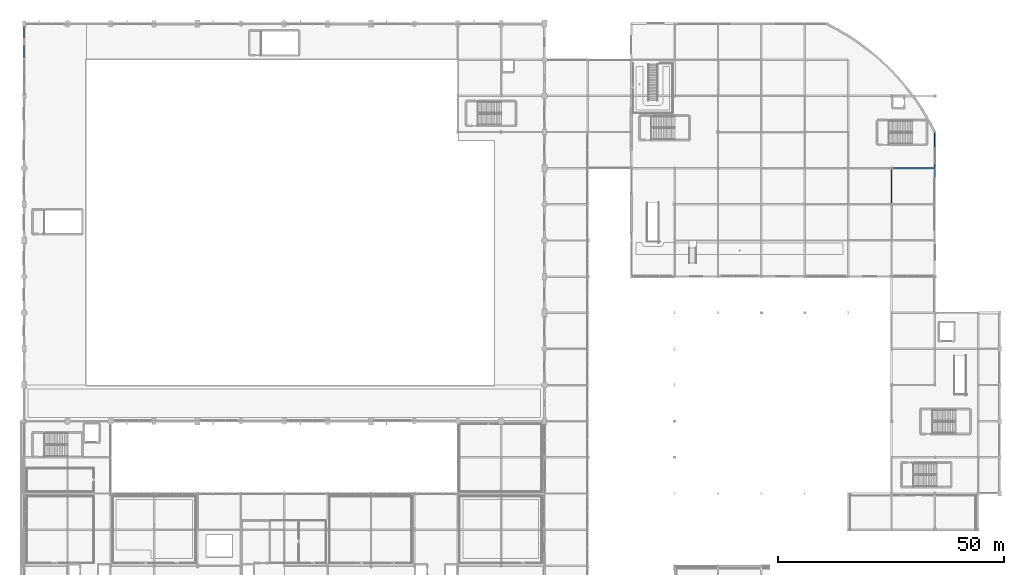
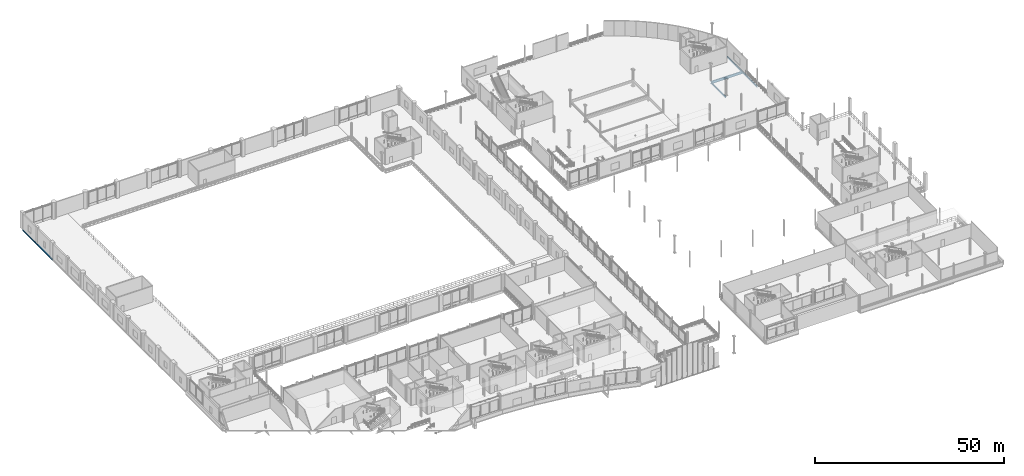
# One storey, part 62 of 129: 6 beams.
"""IFC4 building model written with IfcOpenShell, lengths in metres."""

from ifc_helpers import new_model, si_unit, direction, frame, origin, origin_2d, place, context, subcontext, project, spatial, i_section, extrude, material, material_profile, profile_set, type_object, element, save


model = new_model("IFC4")

# Units and contexts
model_context = context("Model", 3, precision=1e-05, world=origin(), true_north=direction((0.0, 1.0)))
body_context = subcontext(model_context, "Body", "Model", "MODEL_VIEW")
ifc_project = project(units=[si_unit("LENGTHUNIT", "METRE"), si_unit("AREAUNIT", "SQUARE_METRE"), si_unit("VOLUMEUNIT", "CUBIC_METRE"), si_unit("PLANEANGLEUNIT", "RADIAN"), si_unit("MASSUNIT", "GRAM", prefix="KILO")], contexts=[model_context])

# Site, building, storey
site_placement = place(None, origin())
site = spatial("IfcSite", under=ifc_project, at=site_placement, CompositionType="ELEMENT")
building_placement = place(site_placement, origin())
building = spatial("IfcBuilding", under=site, at=building_placement, Name="Danafjord Basin Convention Centre", CompositionType="ELEMENT")
storey_placement = place(building_placement, frame((0.0, 0.0, 6.0)))
storey = spatial("IfcBuildingStorey", under=building, at=storey_placement, Name="L01", CompositionType="ELEMENT", Elevation=6.0)

# Beams
ifc_material = material(Name="Steel S355", Category="steel")
ifc_material_profile_1 = material_profile(ifc_material, i_section(OverallWidth=0.300048828125, OverallDepth=0.800048828125, WebThickness=0.017578125, FlangeThickness=0.032958984375, FilletRadius=0.030029296875, at=origin_2d()), Name="HEB 800")
ifc_profile_set_1 = profile_set([ifc_material_profile_1], Name="Steel S355")
beam_type_1 = type_object("IfcBeamType", Name="BEAM-BM-HEB800", PredefinedType="BEAM", material=ifc_profile_set_1)
beam_1_placement = place(storey_placement, frame((192.0, 112.0, -0.760009765625), z_axis=(1.0, 0.0, 0.0), x_axis=(0.0, 1.0, 0.0)))
element("IfcBeam", 1, at=beam_1_placement, inside=storey, type_object=beam_type_1, Name="L01 girder BM-HEB800", PredefinedType="BEAM", context=body_context, shape_type="SweptSolid", body=[
    extrude(i_section(OverallWidth=0.300048828125, OverallDepth=0.800048828125, WebThickness=0.017578125, FlangeThickness=0.032958984375, FilletRadius=0.030029296875, at=origin_2d()), origin(), (0.0, 0.0, 1.0), 9.60009765625),
])
ifc_material_profile_2 = material_profile(ifc_material, i_section(OverallWidth=0.2099609375, OverallDepth=0.550048828125, WebThickness=0.010986328125, FlangeThickness=0.01708984375, FilletRadius=0.02392578125, at=origin_2d()), Name="IPE 550")
ifc_profile_set_2 = profile_set([ifc_material_profile_2], Name="Steel S355")
beam_type_2 = type_object("IfcBeamType", Name="BEAM-BM-IPE550", PredefinedType="BEAM", material=ifc_profile_set_2)
beam_2_placement = place(storey_placement, frame((192.0, 104.0, -0.635009765625), z_axis=(0.0, 1.0, 0.0), x_axis=(-1.0, 0.0, 0.0)))
element("IfcBeam", 2, at=beam_2_placement, inside=storey, type_object=beam_type_2, Name="L01 transverse girder BM-IPE550", PredefinedType="BEAM", context=body_context, shape_type="SweptSolid", body=[
    extrude(i_section(OverallWidth=0.2099609375, OverallDepth=0.550048828125, WebThickness=0.010986328125, FlangeThickness=0.01708984375, FilletRadius=0.02392578125, at=origin_2d()), origin(), (0.0, 0.0, 1.0), 8.0),
])
ifc_material_profile_3 = material_profile(ifc_material, i_section(OverallWidth=0.300048828125, OverallDepth=0.39990234375, WebThickness=0.013427734375, FlangeThickness=0.02392578125, FilletRadius=0.027099609375, at=origin_2d()), Name="HEB 400")
ifc_profile_set_3 = profile_set([ifc_material_profile_3], Name="Steel S355")
beam_type_3 = type_object("IfcBeamType", Name="BEAM-SP-HEB400", PredefinedType="SPANDREL", material=ifc_profile_set_3)
for number, where, z_axis, x_axis, name in (
    (3, (0.0, 128.0, -0.449951171875), (0.0, 1.0, 0.0), (-1.0, 0.0, 0.0), "L01 transverse girder SP-HEB400"),
    (4, (201.60009765625, 104.0, -0.56005859375), (0.0, 1.0, 0.0), (-1.0, 0.0, 0.0), "L01 transverse girder SP-HEB400"),
):
    element("IfcBeam", number, at=place(storey_placement, frame(where, z_axis=z_axis, x_axis=x_axis)), inside=storey, type_object=beam_type_3, Name=name, PredefinedType="SPANDREL", context=body_context, shape_type="SweptSolid", body=[
        extrude(i_section(OverallWidth=0.300048828125, OverallDepth=0.39990234375, WebThickness=0.013427734375, FlangeThickness=0.02392578125, FilletRadius=0.027099609375, at=origin_2d()), origin(), (0.0, 0.0, 1.0), 8.0),
    ])
ifc_material_profile_4 = material_profile(ifc_material, i_section(OverallWidth=0.18994140625, OverallDepth=0.449951171875, WebThickness=0.009521484375, FlangeThickness=0.0146484375, FilletRadius=0.02099609375, at=origin_2d()), Name="IPE 450")
ifc_profile_set_4 = profile_set([ifc_material_profile_4], Name="Steel S355")
beam_type_4 = type_object("IfcBeamType", Name="BEAM-SP-IPE450", PredefinedType="SPANDREL", material=ifc_profile_set_4)
for number, where, z_axis, x_axis, name in (
    (5, (0.0, 136.0, -0.47509765625), (0.0, 1.0, 0.0), (-1.0, 0.0, 0.0), "L01 transverse girder SP-IPE450"),
    (6, (201.60009765625, 112.0, -0.5849609375), (0.0, 1.0, 0.0), (-1.0, 0.0, 0.0), "L01 transverse girder SP-IPE450"),
):
    element("IfcBeam", number, at=place(storey_placement, frame(where, z_axis=z_axis, x_axis=x_axis)), inside=storey, type_object=beam_type_4, Name=name, PredefinedType="SPANDREL", context=body_context, shape_type="SweptSolid", body=[
        extrude(i_section(OverallWidth=0.18994140625, OverallDepth=0.449951171875, WebThickness=0.009521484375, FlangeThickness=0.0146484375, FilletRadius=0.02099609375, at=origin_2d()), origin(), (0.0, 0.0, 1.0), 8.0),
    ])

save(model, "model.ifc")
